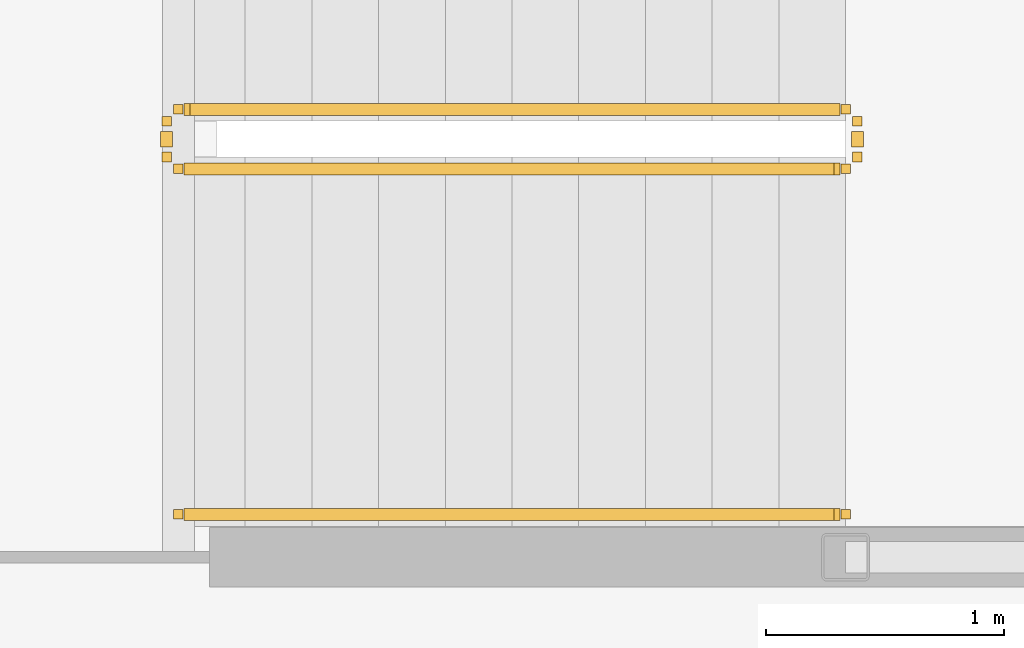
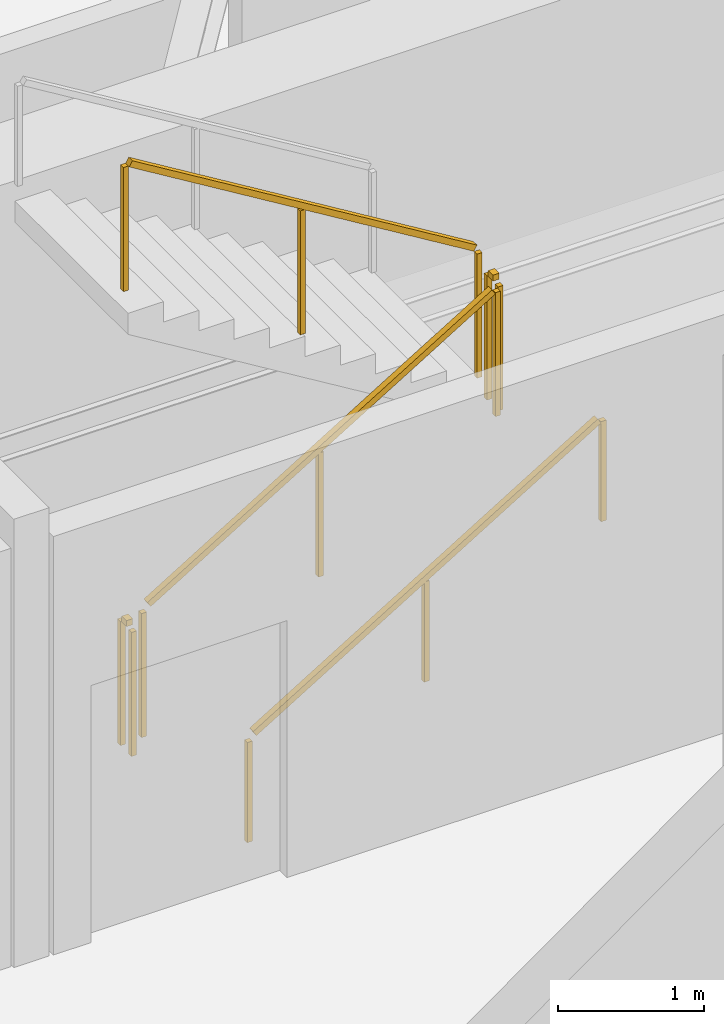
# One storey, part 19 of 20: 5 railings.
"""IFC4 building model written with IfcOpenShell, lengths in metres."""

from ifc_helpers import new_model, si_unit, direction, frame, origin, origin_2d, place, context, subcontext, project, spatial, rectangle, extrude, material, type_object, element, save


model = new_model("IFC4")

# Units and contexts
model_context = context("Model", 3, precision=1e-05, world=origin(), true_north=direction((0.0, 1.0)))
body_context = subcontext(model_context, "Body", "Model", "MODEL_VIEW")
ifc_project = project(units=[si_unit("LENGTHUNIT", "METRE"), si_unit("AREAUNIT", "SQUARE_METRE"), si_unit("VOLUMEUNIT", "CUBIC_METRE"), si_unit("PLANEANGLEUNIT", "RADIAN"), si_unit("MASSUNIT", "GRAM", prefix="KILO")], contexts=[model_context])

# Site, building, storey
site_placement = place(None, origin())
site = spatial("IfcSite", under=ifc_project, at=site_placement, CompositionType="ELEMENT")
building_placement = place(site_placement, origin())
building = spatial("IfcBuilding", under=site, at=building_placement, Name="Kazma Halo Residences", CompositionType="ELEMENT")
storey_placement = place(building_placement, frame((0.0, 0.0, 217.800048828125)))
storey = spatial("IfcBuildingStorey", under=building, at=storey_placement, Name="L55", CompositionType="ELEMENT", Elevation=217.800048828125)

# Railings
ifc_material_1 = material(Name="Painted Steel S355", Category="steel")
railing_type_1 = type_object("IfcRailingType", Name="RLG-STAIR-GRD-1100", PredefinedType="GUARDRAIL", material=ifc_material_1)
railing_1_placement = place(storey_placement, frame((53.199951171875, 48.25, 0.17041015625)))
element("IfcRailing", 1, at=railing_1_placement, inside=storey, type_object=railing_type_1, Name="L55 ST-02 stair guard 1", PredefinedType="GUARDRAIL", context=body_context, shape_type="SweptSolid", body=[
    extrude(rectangle(XDim=0.050048828125, YDim=0.050048828125, at=origin_2d()), frame((0.036376953125, 0.0, 1.09716796875), z_axis=(0.854169791009, 0.0, 0.51999420009), x_axis=(0.0, 1.0, 0.0)), (0.0, 0.0, 1.0), 3.193115234375),
    extrude(rectangle(XDim=0.0400390625, YDim=0.0400390625, at=origin_2d()), origin(), (0.0, 0.0, 1.0), 1.0380859375),
    extrude(rectangle(XDim=0.0400390625, YDim=0.0400390625, at=origin_2d()), frame((1.39990234375, 0.0, 0.852294921875)), (0.0, 0.0, 1.0), 1.0380859375),
    extrude(rectangle(XDim=0.0400390625, YDim=0.0400390625, at=origin_2d()), frame((2.800048828125, 0.0, 1.70458984375)), (0.0, 0.0, 1.0), 1.0380859375),
])
railing_2_placement = place(storey_placement, frame((56.050048828125, 48.300048828125, 1.875)))
element("IfcRailing", 2, at=railing_2_placement, inside=storey, type_object=railing_type_1, Name="L55 ST-02 stair guard 2", PredefinedType="GUARDRAIL", context=body_context, shape_type="SweptSolid", body=[
    extrude(rectangle(XDim=0.050048828125, YDim=0.050048828125, at=origin_2d()), frame((0.0, 0.04248046875, 1.0751953125), z_axis=(0.0, 1.0, 0.0), x_axis=(-1.0, 0.0, 0.0)), (0.0, 0.0, 1.0), 0.06494140625),
    extrude(rectangle(XDim=0.0400390625, YDim=0.0400390625, at=origin_2d()), origin(), (0.0, 0.0, 1.0), 1.0380859375),
    extrude(rectangle(XDim=0.0400390625, YDim=0.0400390625, at=origin_2d()), frame((0.0, 0.14990234375, 0.0)), (0.0, 0.0, 1.0), 1.0380859375),
])
railing_3_placement = place(storey_placement, frame((56.0, 48.5, 2.04541015625)))
element("IfcRailing", 3, at=railing_3_placement, inside=storey, type_object=railing_type_1, Name="L55 ST-02 stair guard 3", PredefinedType="GUARDRAIL", context=body_context, shape_type="SweptSolid", body=[
    extrude(rectangle(XDim=0.050048828125, YDim=0.050048828125, at=origin_2d()), frame((-0.036376953125, 0.0, 1.09716796875), z_axis=(-0.854169791009, 0.0, 0.51999420009), x_axis=(0.0, -1.0, 0.0)), (0.0, 0.0, 1.0), 3.193115234375),
    extrude(rectangle(XDim=0.0400390625, YDim=0.0400390625, at=origin_2d()), origin(), (0.0, 0.0, 1.0), 1.0380859375),
    extrude(rectangle(XDim=0.0400390625, YDim=0.0400390625, at=origin_2d()), frame((-1.39990234375, 0.0, 0.852294921875)), (0.0, 0.0, 1.0), 1.0380859375),
    extrude(rectangle(XDim=0.0400390625, YDim=0.0400390625, at=origin_2d()), frame((-2.800048828125, 0.0, 1.70458984375)), (0.0, 0.0, 1.0), 1.0380859375),
])
railing_4_placement = place(storey_placement, frame((53.14990234375, 48.300048828125, 0.0)))
element("IfcRailing", 4, at=railing_4_placement, inside=storey, type_object=railing_type_1, Name="L55 ST-02 stair guard 4", PredefinedType="GUARDRAIL", context=body_context, shape_type="SweptSolid", body=[
    extrude(rectangle(XDim=0.050048828125, YDim=0.050048828125, at=origin_2d()), frame((0.0, 0.04248046875, 1.0751953125), z_axis=(0.0, 1.0, 0.0), x_axis=(-1.0, 0.0, 0.0)), (0.0, 0.0, 1.0), 0.06494140625),
    extrude(rectangle(XDim=0.0400390625, YDim=0.0400390625, at=origin_2d()), origin(), (0.0, 0.0, 1.0), 1.0380859375),
    extrude(rectangle(XDim=0.0400390625, YDim=0.0400390625, at=origin_2d()), frame((0.0, 0.14990234375, 0.0)), (0.0, 0.0, 1.0), 1.0380859375),
])
ifc_material_2 = material(Name="Brushed Stainless Steel", Category="steel")
railing_type_2 = type_object("IfcRailingType", Name="RLG-STAIR-HND-900", PredefinedType="HANDRAIL", material=ifc_material_2)
railing_5_placement = place(storey_placement, frame((53.199951171875, 46.800048828125, 0.17041015625)))
element("IfcRailing", 5, at=railing_5_placement, inside=storey, type_object=railing_type_2, Name="L55 ST-02 stair handrail 1", PredefinedType="HANDRAIL", context=body_context, shape_type="SweptSolid", body=[
    extrude(rectangle(XDim=0.050048828125, YDim=0.050048828125, at=origin_2d()), frame((0.036376953125, 0.0, 0.89697265625), z_axis=(0.854169791009, 0.0, 0.51999420009), x_axis=(0.0, 1.0, 0.0)), (0.0, 0.0, 1.0), 3.193115234375),
    extrude(rectangle(XDim=0.0400390625, YDim=0.0400390625, at=origin_2d()), origin(), (0.0, 0.0, 1.0), 0.837890625),
    extrude(rectangle(XDim=0.0400390625, YDim=0.0400390625, at=origin_2d()), frame((1.39990234375, 0.0, 0.852294921875)), (0.0, 0.0, 1.0), 0.837890625),
    extrude(rectangle(XDim=0.0400390625, YDim=0.0400390625, at=origin_2d()), frame((2.800048828125, 0.0, 1.70458984375)), (0.0, 0.0, 1.0), 0.837890625),
])

save(model, "model.ifc")
